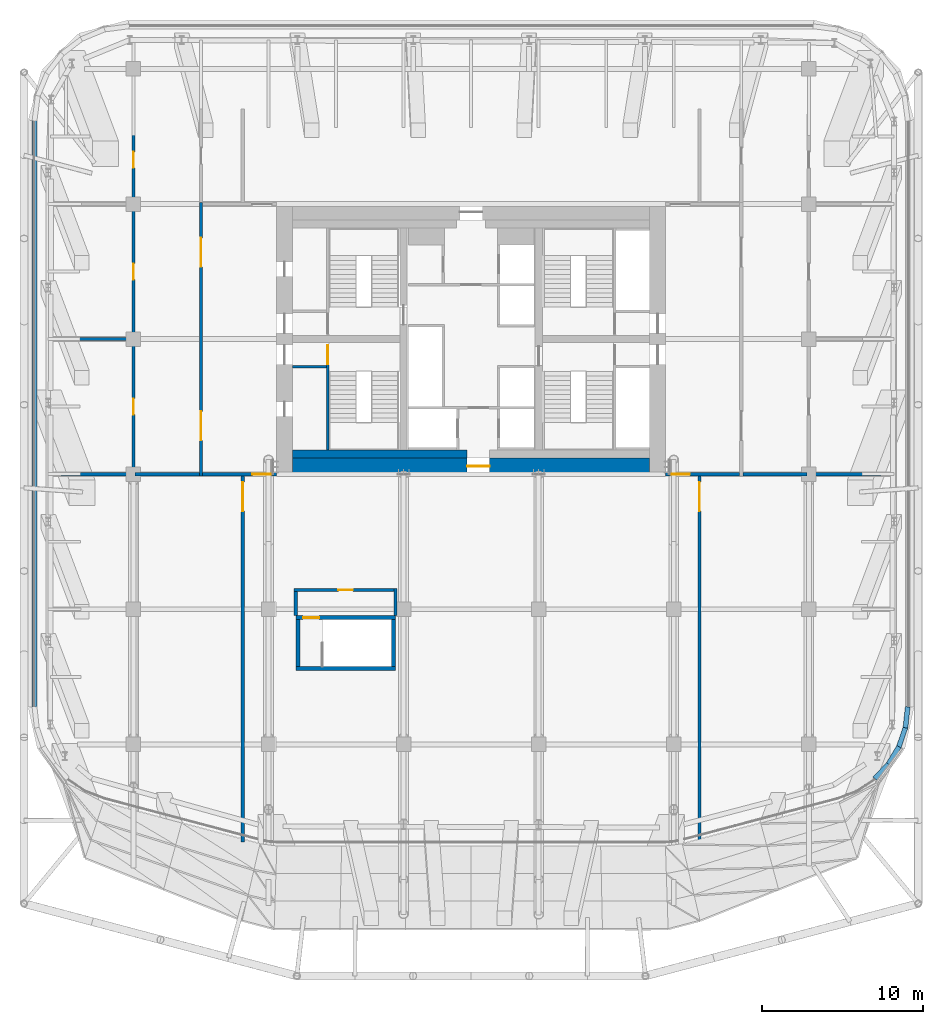
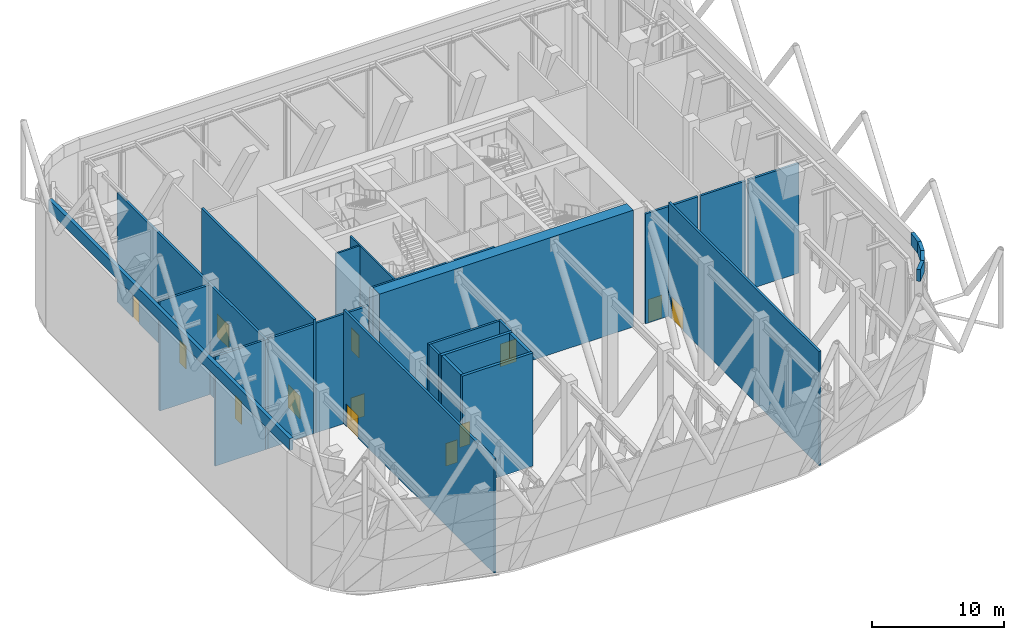
# One storey, part 10 of 20: 27 walls, 13 doors, 13 openings.
"""IFC4 building model written with IfcOpenShell, lengths in metres."""

from ifc_helpers import new_model, si_unit, direction, frame, frame_2d, origin, place, context, subcontext, project, spatial, rectangle, extrude, material, layer, layer_set, type_object, element, fill, save


model = new_model("IFC4")

# Units and contexts
model_context = context("Model", 3, precision=1e-05, world=origin(), true_north=direction((0.0, 1.0)))
body_context = subcontext(model_context, "Body", "Model", "MODEL_VIEW")
ifc_project = project(units=[si_unit("LENGTHUNIT", "METRE"), si_unit("AREAUNIT", "SQUARE_METRE"), si_unit("VOLUMEUNIT", "CUBIC_METRE"), si_unit("PLANEANGLEUNIT", "RADIAN"), si_unit("MASSUNIT", "GRAM", prefix="KILO")], contexts=[model_context])

# Site, building, storey
site_placement = place(None, origin())
site = spatial("IfcSite", under=ifc_project, at=site_placement, CompositionType="ELEMENT")
building_placement = place(site_placement, origin())
building = spatial("IfcBuilding", under=site, at=building_placement, Name="Marenta Gate Hotel Tower", CompositionType="ELEMENT")
storey_placement = place(building_placement, frame((0.0, 0.0, 169.699951171875)))
storey = spatial("IfcBuildingStorey", under=building, at=storey_placement, Name="L40", CompositionType="ELEMENT", Elevation=169.699951171875)

# Wall, openings, doors
ifc_material_1 = material(Name="Concrete blockwork", Category="masonry")
ifc_layer_1 = layer(ifc_material_1, 0.199951171875)
ifc_layer_set_1 = layer_set([ifc_layer_1], Name="Concrete blockwork")
wall_type_1 = type_object("IfcWallType", Name="Core boundary wall 200 REI 180", PredefinedType="PARTITIONING", material=ifc_layer_set_1)
wall_1_placement = place(storey_placement, frame((-16.800048828125, -0.10009765625, 0.0), z_axis=(0.0, 0.0, 1.0), x_axis=(0.0, 1.0, 0.0)))
wall_1 = element("IfcWall", 1, at=wall_1_placement, inside=storey, type_object=wall_type_1, Name="L40-CP-BW-W", PredefinedType="PARTITIONING", context=body_context, shape_type="SweptSolid", body=[
    extrude(rectangle(XDim=17.0, YDim=0.199951171875, at=frame_2d((8.5, 0.0))), origin(), (0.0, 0.0, 1.0), 10.5400390625),
])
opening_1_placement = place(wall_1_placement, frame((2.199951171875, 0.0, 0.0)))
opening_1 = element("IfcOpeningElement", 2, at=opening_1_placement, cuts=wall_1, Name="Opening ED-Wa-B", PredefinedType="OPENING", context=body_context, shape_type="SweptSolid", body=[
    extrude(rectangle(XDim=1.800048828125, YDim=2.10009765625, at=frame_2d((0.89990234375, 1.050048828125))), frame((0.0, 0.10009765625, 0.0), z_axis=(0.0, -1.0, 0.0), x_axis=(1.0, 0.0, 0.0)), (0.0, 0.0, 1.0), 0.199951171875),
])
opening_2_placement = place(wall_1_placement, frame((13.0, 0.0, 0.0)))
opening_2 = element("IfcOpeningElement", 3, at=opening_2_placement, cuts=wall_1, Name="Opening ED-Wb-B", PredefinedType="OPENING", context=body_context, shape_type="SweptSolid", body=[
    extrude(rectangle(XDim=1.800048828125, YDim=2.10009765625, at=frame_2d((0.89990234375, 1.050048828125))), frame((0.0, 0.10009765625, 0.0), z_axis=(0.0, -1.0, 0.0), x_axis=(1.0, 0.0, 0.0)), (0.0, 0.0, 1.0), 0.199951171875),
])
ifc_material_2 = material(Name="Steel", Category="steel")
door_type_1 = type_object("IfcDoorType", Name="Core lobby entrance door 1800x2100 EI 60", OperationType="DOUBLE_DOOR_SINGLE_SWING", PredefinedType="DOOR", material=ifc_material_2)
door_1_placement = place(opening_1_placement, origin())
door_1 = element("IfcDoor", 4, at=door_1_placement, inside=storey, type_object=door_type_1, Name="ED-Wa-B", OperationType="DOUBLE_DOOR_SINGLE_SWING", OverallHeight=2.10009765625, OverallWidth=1.800048828125, PredefinedType="DOOR", context=body_context, shape_type="SweptSolid", body=[
    extrude(rectangle(XDim=1.800048828125, YDim=2.10009765625, at=frame_2d((0.89990234375, 1.050048828125))), frame((0.0, 0.02490234375, 0.0), z_axis=(0.0, -1.0, 0.0), x_axis=(1.0, 0.0, 0.0)), (0.0, 0.0, 1.0), 0.050048828125),
])
fill(opening_1, door_1)
door_2_placement = place(opening_2_placement, origin())
door_2 = element("IfcDoor", 5, at=door_2_placement, inside=storey, type_object=door_type_1, Name="ED-Wb-B", OperationType="DOUBLE_DOOR_SINGLE_SWING", OverallHeight=2.10009765625, OverallWidth=1.800048828125, PredefinedType="DOOR", context=body_context, shape_type="SweptSolid", body=[
    extrude(rectangle(XDim=1.800048828125, YDim=2.10009765625, at=frame_2d((0.89990234375, 1.050048828125))), frame((0.0, 0.02490234375, 0.0), z_axis=(0.0, -1.0, 0.0), x_axis=(1.0, 0.0, 0.0)), (0.0, 0.0, 1.0), 0.050048828125),
])
fill(opening_2, door_2)

# Wall, opening, door
wall_2_placement = place(storey_placement, frame((-16.699951171875, 0.0, 0.0), z_axis=(0.0, 0.0, 1.0), x_axis=(1.0, 0.0, 0.0)))
wall_2 = element("IfcWall", 6, at=wall_2_placement, inside=storey, type_object=wall_type_1, Name="L40-CP-EW-WS", PredefinedType="PARTITIONING", context=body_context, shape_type="SweptSolid", body=[
    extrude(rectangle(XDim=4.599853515625, YDim=0.199951171875, at=frame_2d((2.2998046875, 0.0))), origin(), (0.0, 0.0, 1.0), 10.14013671875),
])
opening_3_placement = place(wall_2_placement, frame((3.10009765625, 0.0, 0.0)))
opening_3 = element("IfcOpeningElement", 7, at=opening_3_placement, cuts=wall_2, Name="Opening RFD-WS", PredefinedType="OPENING", context=body_context, shape_type="SweptSolid", body=[
    extrude(rectangle(XDim=1.199951171875, YDim=2.10009765625, at=frame_2d((0.60009765625, 1.050048828125))), frame((0.0, 0.10009765625, 0.0), z_axis=(0.0, -1.0, 0.0), x_axis=(1.0, 0.0, 0.0)), (0.0, 0.0, 1.0), 0.199951171875),
])
ifc_material_3 = material(Name="Steel", Category="steel")
door_type_2 = type_object("IfcDoorType", Name="Core lobby door 1200x2100 FD60", OperationType="SINGLE_SWING_LEFT", PredefinedType="DOOR", material=ifc_material_3)
door_3_placement = place(opening_3_placement, origin())
door_3 = element("IfcDoor", 8, at=door_3_placement, inside=storey, type_object=door_type_2, Name="RFD-WS", OperationType="SINGLE_SWING_LEFT", OverallHeight=2.10009765625, OverallWidth=1.199951171875, PredefinedType="DOOR", context=body_context, shape_type="SweptSolid", body=[
    extrude(rectangle(XDim=1.199951171875, YDim=2.10009765625, at=frame_2d((0.60009765625, 1.050048828125))), frame((0.0, 0.02490234375, 0.0), z_axis=(0.0, -1.0, 0.0), x_axis=(1.0, 0.0, 0.0)), (0.0, 0.0, 1.0), 0.050048828125),
])
fill(opening_3, door_3)

wall_3_placement = place(storey_placement, frame((12.10009765625, 0.0, 0.0), z_axis=(0.0, 0.0, 1.0), x_axis=(1.0, 0.0, 0.0)))
wall_3 = element("IfcWall", 9, at=wall_3_placement, inside=storey, type_object=wall_type_1, Name="L40-CP-EW-ES", PredefinedType="PARTITIONING", context=body_context, shape_type="SweptSolid", body=[
    extrude(rectangle(XDim=4.599853515625, YDim=0.199951171875, at=frame_2d((2.2998046875, 0.0))), origin(), (0.0, 0.0, 1.0), 10.14013671875),
])
opening_4_placement = place(wall_3_placement, frame((0.300048828125, 0.0, 0.0)))
opening_4 = element("IfcOpeningElement", 10, at=opening_4_placement, cuts=wall_3, Name="Opening RFD-ES", PredefinedType="OPENING", context=body_context, shape_type="SweptSolid", body=[
    extrude(rectangle(XDim=1.199951171875, YDim=2.10009765625, at=frame_2d((0.60009765625, 1.050048828125))), frame((0.0, 0.10009765625, 0.0), z_axis=(0.0, -1.0, 0.0), x_axis=(1.0, 0.0, 0.0)), (0.0, 0.0, 1.0), 0.199951171875),
])
door_4_placement = place(opening_4_placement, origin())
door_4 = element("IfcDoor", 11, at=door_4_placement, inside=storey, type_object=door_type_2, Name="RFD-ES", OperationType="SINGLE_SWING_LEFT", OverallHeight=2.10009765625, OverallWidth=1.199951171875, PredefinedType="DOOR", context=body_context, shape_type="SweptSolid", body=[
    extrude(rectangle(XDim=1.199951171875, YDim=2.10009765625, at=frame_2d((0.60009765625, 1.050048828125))), frame((0.0, 0.02490234375, 0.0), z_axis=(0.0, -1.0, 0.0), x_axis=(1.0, 0.0, 0.0)), (0.0, 0.0, 1.0), 0.050048828125),
])
fill(opening_4, door_4)

# Walls
ifc_material_4 = material(Name="Concrete C40", Category="concrete")
ifc_layer_2 = layer(ifc_material_4, 0.5)
ifc_layer_set_2 = layer_set([ifc_layer_2], Name="Concrete C40")
wall_type_2 = type_object("IfcWallType", Name="Core lining wall 500 REI 180", PredefinedType="PARTITIONING", material=ifc_layer_set_2)
wall_4_placement = place(storey_placement, frame((-11.10009765625, 1.25, 0.0), z_axis=(0.0, 0.0, 1.0), x_axis=(1.0, 0.0, 0.0)))
element("IfcWall", 12, at=wall_4_placement, inside=storey, type_object=wall_type_2, Name="L40-CP-LN-S1", PredefinedType="PARTITIONING", context=body_context, shape_type="SweptSolid", body=[
    extrude(rectangle(XDim=10.85009765625, YDim=0.5, at=frame_2d((5.425048828125, 0.0))), origin(), (0.0, 0.0, 1.0), 10.5400390625),
])
ifc_material_5 = material(Name="Concrete blockwork", Category="masonry")
ifc_layer_3 = layer(ifc_material_5, 0.14990234375)
ifc_layer_set_3 = layer_set([ifc_layer_3], Name="Concrete blockwork")
wall_type_3 = type_object("IfcWallType", Name="Core room partition 150 REI 180", PredefinedType="PARTITIONING", material=ifc_layer_set_3)
wall_5_placement = place(storey_placement, frame((-11.10009765625, 6.675048828125, 0.0), z_axis=(0.0, 0.0, 1.0), x_axis=(1.0, 0.0, 0.0)))
element("IfcWall", 13, at=wall_5_placement, inside=storey, type_object=wall_type_3, Name="L40-CP-SW-WS-2", PredefinedType="PARTITIONING", context=body_context, shape_type="SweptSolid", body=[
    extrude(rectangle(XDim=2.10009765625, YDim=0.14990234375, at=frame_2d((1.050048828125, 0.0))), origin(), (0.0, 0.0, 1.0), 10.5400390625),
])

# Wall, opening, door
ifc_material_6 = material(Name="Concrete C40", Category="concrete")
ifc_layer_4 = layer(ifc_material_6, 0.14990234375)
ifc_layer_set_4 = layer_set([ifc_layer_4], Name="Concrete C40")
wall_type_4 = type_object("IfcWallType", Name="Core stair enclosure wall 150 REI 180", PredefinedType="SHEAR", material=ifc_layer_set_4)
wall_6_placement = place(storey_placement, frame((-8.925048828125, 1.5, 0.0), z_axis=(0.0, 0.0, 1.0), x_axis=(0.0, 1.0, 0.0)))
wall_6 = element("IfcWall", 14, at=wall_6_placement, inside=storey, type_object=wall_type_4, Name="L40-SHF-SW-WS-3", PredefinedType="SHEAR", context=body_context, shape_type="SweptSolid", body=[
    extrude(rectangle(XDim=6.60009765625, YDim=0.14990234375, at=frame_2d((3.300048828125, 0.0))), origin(), (0.0, 0.0, 1.0), 10.5400390625),
])
opening_5_placement = place(wall_6_placement, frame((5.324951171875, 0.0, 0.0)))
opening_5 = element("IfcOpeningElement", 15, at=opening_5_placement, cuts=wall_6, Name="Opening SD-WS", PredefinedType="OPENING", context=body_context, shape_type="SweptSolid", body=[
    extrude(rectangle(XDim=1.199951171875, YDim=2.10009765625, at=frame_2d((0.60009765625, 1.050048828125))), frame((0.0, 0.074951171875, 0.0), z_axis=(0.0, -1.0, 0.0), x_axis=(1.0, 0.0, 0.0)), (0.0, 0.0, 1.0), 0.14990234375),
])
ifc_material_7 = material(Name="Steel", Category="steel")
door_type_3 = type_object("IfcDoorType", Name="Core stair door 1200x2100 FD60", OperationType="SINGLE_SWING_LEFT", PredefinedType="DOOR", material=ifc_material_7)
door_5_placement = place(opening_5_placement, origin())
door_5 = element("IfcDoor", 16, at=door_5_placement, inside=storey, type_object=door_type_3, Name="SD-WS", OperationType="SINGLE_SWING_LEFT", OverallHeight=2.10009765625, OverallWidth=1.199951171875, PredefinedType="DOOR", context=body_context, shape_type="SweptSolid", body=[
    extrude(rectangle(XDim=1.199951171875, YDim=2.10009765625, at=frame_2d((0.60009765625, 1.050048828125))), frame((0.0, 0.02490234375, 0.0), z_axis=(0.0, -1.0, 0.0), x_axis=(1.0, 0.0, 0.0)), (0.0, 0.0, 1.0), 0.050048828125),
])
fill(opening_5, door_5)

ifc_material_8 = material(Name="Concrete C70", Category="concrete")
ifc_layer_5 = layer(ifc_material_8, 1.0)
ifc_layer_set_5 = layer_set([ifc_layer_5], Name="Concrete C70")
wall_type_5 = type_object("IfcWallType", Name="Core wall 1000 C70", PredefinedType="SHEAR", material=ifc_layer_set_5)
wall_7_placement = place(storey_placement, frame((-11.10009765625, 0.5, 0.0), z_axis=(0.0, 0.0, 1.0), x_axis=(1.0, 0.0, 0.0)))
wall_7 = element("IfcWall", 17, at=wall_7_placement, inside=storey, type_object=wall_type_5, Name="L40-CORE-S", PredefinedType="SHEAR", context=body_context, shape_type="SweptSolid", body=[
    extrude(rectangle(XDim=22.2001953125, YDim=1.0, at=frame_2d((11.10009765625, 0.0))), origin(), (0.0, 0.0, 1.0), 10.800048828125),
])
opening_6_placement = place(wall_7_placement, frame((10.85009765625, 0.0, 0.0)))
opening_6 = element("IfcOpeningElement", 18, at=opening_6_placement, cuts=wall_7, Name="Opening RFD-S", PredefinedType="OPENING", context=body_context, shape_type="SweptSolid", body=[
    extrude(rectangle(XDim=1.39990234375, YDim=2.10009765625, at=frame_2d((0.699951171875, 1.050048828125))), frame((0.0, 0.5, 0.0), z_axis=(0.0, -1.0, 0.0), x_axis=(1.0, 0.0, 0.0)), (0.0, 0.0, 1.0), 1.0),
])
ifc_material_9 = material(Name="Steel", Category="steel")
door_type_4 = type_object("IfcDoorType", Name="Core lobby door 1400x2100 FD60", OperationType="SINGLE_SWING_LEFT", PredefinedType="DOOR", material=ifc_material_9)
door_6_placement = place(opening_6_placement, origin())
door_6 = element("IfcDoor", 19, at=door_6_placement, inside=storey, type_object=door_type_4, Name="RFD-S", OperationType="SINGLE_SWING_LEFT", OverallHeight=2.10009765625, OverallWidth=1.39990234375, PredefinedType="DOOR", context=body_context, shape_type="SweptSolid", body=[
    extrude(rectangle(XDim=1.39990234375, YDim=2.10009765625, at=frame_2d((0.699951171875, 1.050048828125))), frame((0.0, 0.02490234375, 0.0), z_axis=(0.0, -1.0, 0.0), x_axis=(1.0, 0.0, 0.0)), (0.0, 0.0, 1.0), 0.050048828125),
])
fill(opening_6, door_6)

# Walls
ifc_material_10 = material(Name="Concrete C40 board-marked", Category="concrete")
ifc_layer_6 = layer(ifc_material_10, 0.300048828125)
ifc_layer_set_6 = layer_set([ifc_layer_6], Name="Concrete C40 board-marked")
wall_type_6 = type_object("IfcWallType", Name="Parapet 300 mm board-marked concrete", PredefinedType="PARAPET", material=ifc_layer_set_6)
wall_8_placement = place(storey_placement, frame((-27.14990234375, -14.484375, 10.800048828125), z_axis=(0.0, 0.0, 1.0), x_axis=(0.0, 1.0, 0.0)))
element("IfcWall", 20, at=wall_8_placement, inside=storey, type_object=wall_type_6, Name="L40-PAR-00030", PredefinedType="PARAPET", context=body_context, shape_type="SweptSolid", body=[
    extrude(rectangle(XDim=36.484375, YDim=0.300048828125, at=frame_2d((18.2421875, 0.0))), origin(), (0.0, 0.0, 1.0), 1.10009765625),
])
for number, where, z_axis, x_axis, name in (
    (21, (27.15087890625, -14.468017578125, 10.800048828125), (0.0, 0.0, 1.0), (-0.109141394059, -0.994026235118, 0.0), "L40-PAR-00180"),
    (22, (27.01513671875, -15.737060546875, 10.800048828125), (0.0, 0.0, 1.0), (-0.321986341971, -0.946744313732, 0.0), "L40-PAR-00190"),
):
    element("IfcWall", number, at=place(storey_placement, frame(where, z_axis=z_axis, x_axis=x_axis)), inside=storey, type_object=wall_type_6, Name=name, PredefinedType="PARAPET", context=body_context, shape_type="SweptSolid", body=[
        extrude(rectangle(XDim=1.30859375, YDim=0.300048828125, at=frame_2d((0.654296875, 0.0))), origin(), (0.0, 0.0, 1.0), 1.10009765625),
    ])
wall_9_placement = place(storey_placement, frame((26.607666015625, -16.946533203125, 10.800048828125), z_axis=(0.0, 0.0, 1.0), x_axis=(-0.519698377403, -0.854349809226, 0.0)))
element("IfcWall", 23, at=wall_9_placement, inside=storey, type_object=wall_type_6, Name="L40-PAR-00200", PredefinedType="PARAPET", context=body_context, shape_type="SweptSolid", body=[
    extrude(rectangle(XDim=1.308837890625, YDim=0.300048828125, at=frame_2d((0.654296875, 0.0))), origin(), (0.0, 0.0, 1.0), 1.10009765625),
])
wall_10_placement = place(storey_placement, frame((25.947509765625, -18.038818359375, 10.800048828125), z_axis=(0.0, 0.0, 1.0), x_axis=(-0.692535941108, -0.721383372607, 0.0)))
element("IfcWall", 24, at=wall_10_placement, inside=storey, type_object=wall_type_6, Name="L40-PAR-00210", PredefinedType="PARAPET", context=body_context, shape_type="SweptSolid", body=[
    extrude(rectangle(XDim=1.235595703125, YDim=0.300048828125, at=frame_2d((0.61767578125, 0.0))), origin(), (0.0, 0.0, 1.0), 1.10009765625),
])
ifc_material_11 = material(Name="Concrete C40", Category="concrete")
ifc_layer_7 = layer(ifc_material_11, 0.25)
ifc_layer_set_7 = layer_set([ifc_layer_7], Name="Concrete C40")
wall_type_7 = type_object("IfcWallType", Name="Remote stair enclosure wall 250 REI 180", PredefinedType="SHEAR", material=ifc_layer_set_7)
wall_11_placement = place(storey_placement, frame((-10.89990234375, -12.074951171875, 0.10009765625), z_axis=(0.0, 0.0, 1.0), x_axis=(1.0, 0.0, 0.0)))
element("IfcWall", 25, at=wall_11_placement, inside=storey, type_object=wall_type_7, Name="L40-RS-Z2-1-W1", PredefinedType="SHEAR", context=body_context, shape_type="SweptSolid", body=[
    extrude(rectangle(XDim=6.199951171875, YDim=0.25, at=frame_2d((3.10009765625, 0.0))), origin(), (0.0, 0.0, 1.0), 10.43994140625),
])

# Wall, opening, door
wall_12_placement = place(storey_placement, frame((-10.89990234375, -8.925048828125, 0.10009765625), z_axis=(0.0, 0.0, 1.0), x_axis=(1.0, 0.0, 0.0)))
wall_12 = element("IfcWall", 26, at=wall_12_placement, inside=storey, type_object=wall_type_7, Name="L40-RS-Z2-1-W2", PredefinedType="SHEAR", context=body_context, shape_type="SweptSolid", body=[
    extrude(rectangle(XDim=6.199951171875, YDim=0.25, at=frame_2d((3.10009765625, 0.0))), origin(), (0.0, 0.0, 1.0), 10.43994140625),
])
opening_7_placement = place(wall_12_placement, frame((0.449951171875, 0.0, 0.0)))
opening_7 = element("IfcOpeningElement", 27, at=opening_7_placement, cuts=wall_12, Name="Opening VD", PredefinedType="OPENING", context=body_context, shape_type="SweptSolid", body=[
    extrude(rectangle(XDim=1.0, YDim=2.10009765625, at=frame_2d((0.5, 1.050048828125))), frame((0.0, 0.125, 0.0), z_axis=(0.0, -1.0, 0.0), x_axis=(1.0, 0.0, 0.0)), (0.0, 0.0, 1.0), 0.25),
])
ifc_material_12 = material(Name="Steel", Category="steel")
door_type_5 = type_object("IfcDoorType", Name="Stair vestibule door 1000x2100 FD60", OperationType="SINGLE_SWING_LEFT", PredefinedType="DOOR", material=ifc_material_12)
door_7_placement = place(opening_7_placement, origin())
door_7 = element("IfcDoor", 28, at=door_7_placement, inside=storey, type_object=door_type_5, Name="VD", OperationType="SINGLE_SWING_LEFT", OverallHeight=2.10009765625, OverallWidth=1.0, PredefinedType="DOOR", context=body_context, shape_type="SweptSolid", body=[
    extrude(rectangle(XDim=1.0, YDim=2.10009765625, at=frame_2d((0.5, 1.050048828125))), frame((0.0, 0.02490234375, 0.0), z_axis=(0.0, -1.0, 0.0), x_axis=(1.0, 0.0, 0.0)), (0.0, 0.0, 1.0), 0.050048828125),
])
fill(opening_7, door_7)

# Walls
for number, where, z_axis, x_axis, name in (
    (29, (-10.77490234375, -11.949951171875, 0.10009765625), (0.0, 0.0, 1.0), (0.0, 1.0, 0.0), "L40-RS-Z2-1-W3"),
    (30, (-4.824951171875, -11.949951171875, 0.10009765625), (0.0, 0.0, 1.0), (0.0, 1.0, 0.0), "L40-RS-Z2-1-W4"),
):
    element("IfcWall", number, at=place(storey_placement, frame(where, z_axis=z_axis, x_axis=x_axis)), inside=storey, type_object=wall_type_7, Name=name, PredefinedType="SHEAR", context=body_context, shape_type="SweptSolid", body=[
        extrude(rectangle(XDim=2.89990234375, YDim=0.25, at=frame_2d((1.449951171875, 0.0))), origin(), (0.0, 0.0, 1.0), 10.43994140625),
    ])

# Wall, openings, doors
ifc_material_13 = material(Name="Gypsum board on steel stud", Category="steel")
ifc_layer_8 = layer(ifc_material_13, 0.199951171875)
ifc_layer_set_8 = layer_set([ifc_layer_8], Name="Gypsum board on steel stud")
wall_type_8 = type_object("IfcWallType", Name="Room corridor wall 200 EI 60", PredefinedType="PARTITIONING", material=ifc_layer_set_8)
wall_13_placement = place(storey_placement, frame((-21.0, -0.10009765625, 0.0), z_axis=(0.0, 0.0, 1.0), x_axis=(0.0, 1.0, 0.0)))
wall_13 = element("IfcWall", 31, at=wall_13_placement, inside=storey, type_object=wall_type_8, Name="L40-PTN-W019", PredefinedType="PARTITIONING", context=body_context, shape_type="SweptSolid", body=[
    extrude(rectangle(XDim=22.4931640625, YDim=0.199951171875, at=frame_2d((11.24658203125, 0.0))), origin(), (0.0, 0.0, 1.0), 10.14013671875),
])
opening_8_placement = place(wall_13_placement, frame((3.800048828125, 0.0, 0.0)))
opening_8 = element("IfcOpeningElement", 32, at=opening_8_placement, cuts=wall_13, Name="Opening S09-01", PredefinedType="OPENING", context=body_context, shape_type="SweptSolid", body=[
    extrude(rectangle(XDim=1.0, YDim=2.10009765625, at=frame_2d((0.5, 1.050048828125))), frame((0.0, 0.10009765625, 0.0), z_axis=(0.0, -1.0, 0.0), x_axis=(1.0, 0.0, 0.0)), (0.0, 0.0, 1.0), 0.199951171875),
])
opening_9_placement = place(wall_13_placement, frame((12.199951171875, 0.0, 0.0)))
opening_9 = element("IfcOpeningElement", 33, at=opening_9_placement, cuts=wall_13, Name="Opening S09-02", PredefinedType="OPENING", context=body_context, shape_type="SweptSolid", body=[
    extrude(rectangle(XDim=1.0, YDim=2.10009765625, at=frame_2d((0.5, 1.050048828125))), frame((0.0, 0.10009765625, 0.0), z_axis=(0.0, -1.0, 0.0), x_axis=(1.0, 0.0, 0.0)), (0.0, 0.0, 1.0), 0.199951171875),
])
opening_10_placement = place(wall_13_placement, frame((19.14697265625, 0.0, 0.0)))
opening_10 = element("IfcOpeningElement", 34, at=opening_10_placement, cuts=wall_13, Name="Opening S09-03", PredefinedType="OPENING", context=body_context, shape_type="SweptSolid", body=[
    extrude(rectangle(XDim=1.0, YDim=2.10009765625, at=frame_2d((0.5, 1.050048828125))), frame((0.0, 0.10009765625, 0.0), z_axis=(0.0, -1.0, 0.0), x_axis=(1.0, 0.0, 0.0)), (0.0, 0.0, 1.0), 0.199951171875),
])
ifc_material_14 = material(Name="Hollow steel door set", Category="steel")
door_type_6 = type_object("IfcDoorType", Name="Plant room door 1000x2100 EI 30", OperationType="NOTDEFINED", PredefinedType="DOOR", material=ifc_material_14)
door_8_placement = place(opening_8_placement, origin())
door_8 = element("IfcDoor", 35, at=door_8_placement, inside=storey, type_object=door_type_6, Name="L40-PD-D001", OperationType="SINGLE_SWING_LEFT", OverallHeight=2.10009765625, OverallWidth=1.0, PredefinedType="DOOR", context=body_context, shape_type="SweptSolid", body=[
    extrude(rectangle(XDim=1.0, YDim=2.10009765625, at=frame_2d((0.5, 1.050048828125))), frame((0.0, 0.02490234375, 0.0), z_axis=(0.0, -1.0, 0.0), x_axis=(1.0, 0.0, 0.0)), (0.0, 0.0, 1.0), 0.050048828125),
])
fill(opening_8, door_8)
door_9_placement = place(opening_9_placement, origin())
door_9 = element("IfcDoor", 36, at=door_9_placement, inside=storey, type_object=door_type_6, Name="L40-PD-D002", OperationType="SINGLE_SWING_RIGHT", OverallHeight=2.10009765625, OverallWidth=1.0, PredefinedType="DOOR", context=body_context, shape_type="SweptSolid", body=[
    extrude(rectangle(XDim=1.0, YDim=2.10009765625, at=frame_2d((0.5, 1.050048828125))), frame((0.0, 0.02490234375, 0.0), z_axis=(0.0, -1.0, 0.0), x_axis=(1.0, 0.0, 0.0)), (0.0, 0.0, 1.0), 0.050048828125),
])
fill(opening_9, door_9)
door_10_placement = place(opening_10_placement, origin())
door_10 = element("IfcDoor", 37, at=door_10_placement, inside=storey, type_object=door_type_6, Name="L40-PD-D003", OperationType="SINGLE_SWING_RIGHT", OverallHeight=2.10009765625, OverallWidth=1.0, PredefinedType="DOOR", context=body_context, shape_type="SweptSolid", body=[
    extrude(rectangle(XDim=1.0, YDim=2.10009765625, at=frame_2d((0.5, 1.050048828125))), frame((0.0, 0.02490234375, 0.0), z_axis=(0.0, -1.0, 0.0), x_axis=(1.0, 0.0, 0.0)), (0.0, 0.0, 1.0), 0.050048828125),
])
fill(opening_10, door_10)

# Walls
ifc_material_15 = material(Name="Concrete blockwork", Category="masonry")
ifc_layer_9 = layer(ifc_material_15, 0.199951171875)
ifc_layer_set_9 = layer_set([ifc_layer_9], Name="Concrete blockwork")
wall_type_9 = type_object("IfcWallType", Name="Room corridor wall 200 REI 180", PredefinedType="PARTITIONING", material=ifc_layer_set_9)
for number, where, z_axis, x_axis, name in (
    (38, (-20.89990234375, 0.0, 0.0), (0.0, 0.0, 1.0), (1.0, 0.0, 0.0), "L40-PTN-W008"),
    (39, (16.89990234375, 0.0, 0.0), (0.0, 0.0, 1.0), (1.0, 0.0, 0.0), "L40-PTN-W009"),
):
    element("IfcWall", number, at=place(storey_placement, frame(where, z_axis=z_axis, x_axis=x_axis)), inside=storey, type_object=wall_type_9, Name=name, PredefinedType="PARTITIONING", context=body_context, shape_type="SweptSolid", body=[
        extrude(rectangle(XDim=4.0, YDim=0.199951171875, at=frame_2d((2.0, 0.0))), origin(), (0.0, 0.0, 1.0), 10.14013671875),
    ])
ifc_material_16 = material(Name="Gypsum board on steel stud", Category="steel")
ifc_layer_10 = layer(ifc_material_16, 0.199951171875)
ifc_layer_set_10 = layer_set([ifc_layer_10], Name="Gypsum board on steel stud")
wall_type_10 = type_object("IfcWallType", Name="Room party wall 200 EI 60", PredefinedType="PARTITIONING", material=ifc_layer_set_10)
wall_14_placement = place(storey_placement, frame((-25.5, 8.39990234375, 0.0), z_axis=(0.0, 0.0, 1.0), x_axis=(1.0, 0.0, 0.0)))
element("IfcWall", 40, at=wall_14_placement, inside=storey, type_object=wall_type_10, Name="L40-PTN-W011", PredefinedType="PARTITIONING", context=body_context, shape_type="SweptSolid", body=[
    extrude(rectangle(XDim=4.39990234375, YDim=0.199951171875, at=frame_2d((2.199951171875, 0.0))), origin(), (0.0, 0.0, 1.0), 10.14013671875),
])

# Wall, opening, door
ifc_material_17 = material(Name="Concrete blockwork", Category="masonry")
ifc_layer_11 = layer(ifc_material_17, 0.199951171875)
ifc_layer_set_11 = layer_set([ifc_layer_11], Name="Concrete blockwork")
wall_type_11 = type_object("IfcWallType", Name="Room party wall 200 REI 180", PredefinedType="PARTITIONING", material=ifc_layer_set_11)
wall_15_placement = place(storey_placement, frame((14.199951171875, -22.875, 0.0), z_axis=(0.0, 0.0, 1.0), x_axis=(0.0, 1.0, 0.0)))
wall_15 = element("IfcWall", 41, at=wall_15_placement, inside=storey, type_object=wall_type_11, Name="L40-PTN-W003", PredefinedType="PARTITIONING", context=body_context, shape_type="SweptSolid", body=[
    extrude(rectangle(XDim=22.77490234375, YDim=0.199951171875, at=frame_2d((11.387451171875, 0.0))), origin(), (0.0, 0.0, 1.0), 10.5400390625),
])
opening_11_placement = place(wall_15_placement, frame((20.574951171875, 0.0, 0.0)))
opening_11 = element("IfcOpeningElement", 42, at=opening_11_placement, cuts=wall_15, Name="Opening S09-10", PredefinedType="OPENING", context=body_context, shape_type="SweptSolid", body=[
    extrude(rectangle(XDim=1.800048828125, YDim=2.10009765625, at=frame_2d((0.89990234375, 1.050048828125))), frame((0.0, 0.10009765625, 0.0), z_axis=(0.0, -1.0, 0.0), x_axis=(1.0, 0.0, 0.0)), (0.0, 0.0, 1.0), 0.199951171875),
])
ifc_material_18 = material(Name="Timber door leaf", Category="wood")
door_type_7 = type_object("IfcDoorType", Name="Room amenity door 1800x2100 EI 60", OperationType="DOUBLE_DOOR_SINGLE_SWING", PredefinedType="DOOR", material=ifc_material_18)
door_11_placement = place(opening_11_placement, origin())
door_11 = element("IfcDoor", 43, at=door_11_placement, inside=storey, type_object=door_type_7, Name="L40-PD-D010", OperationType="DOUBLE_DOOR_SINGLE_SWING", OverallHeight=2.10009765625, OverallWidth=1.800048828125, PredefinedType="DOOR", context=body_context, shape_type="SweptSolid", body=[
    extrude(rectangle(XDim=1.800048828125, YDim=2.10009765625, at=frame_2d((0.89990234375, 1.050048828125))), frame((0.0, 0.02490234375, 0.0), z_axis=(0.0, -1.0, 0.0), x_axis=(1.0, 0.0, 0.0)), (0.0, 0.0, 1.0), 0.050048828125),
])
fill(opening_11, door_11)

wall_16_placement = place(storey_placement, frame((-11.0, -7.199951171875, 0.0), z_axis=(0.0, 0.0, 1.0), x_axis=(1.0, 0.0, 0.0)))
wall_16 = element("IfcWall", 44, at=wall_16_placement, inside=storey, type_object=wall_type_11, Name="L40-PTN-W005", PredefinedType="PARTITIONING", context=body_context, shape_type="SweptSolid", body=[
    extrude(rectangle(XDim=6.199951171875, YDim=0.199951171875, at=frame_2d((3.10009765625, 0.0))), origin(), (0.0, 0.0, 1.0), 10.5400390625),
])
opening_12_placement = place(wall_16_placement, frame((2.75, 0.0, 0.0)))
opening_12 = element("IfcOpeningElement", 45, at=opening_12_placement, cuts=wall_16, Name="Opening S09-11", PredefinedType="OPENING", context=body_context, shape_type="SweptSolid", body=[
    extrude(rectangle(XDim=0.89990234375, YDim=2.10009765625, at=frame_2d((0.449951171875, 1.050048828125))), frame((0.0, 0.10009765625, 0.0), z_axis=(0.0, -1.0, 0.0), x_axis=(1.0, 0.0, 0.0)), (0.0, 0.0, 1.0), 0.199951171875),
])
ifc_material_19 = material(Name="Hollow steel door set", Category="steel")
door_type_8 = type_object("IfcDoorType", Name="Stair vestibule door 900x2100 EI 60", OperationType="NOTDEFINED", PredefinedType="DOOR", material=ifc_material_19)
door_12_placement = place(opening_12_placement, origin())
door_12 = element("IfcDoor", 46, at=door_12_placement, inside=storey, type_object=door_type_8, Name="L40-PD-D011", OperationType="SINGLE_SWING_LEFT", OverallHeight=2.10009765625, OverallWidth=0.89990234375, PredefinedType="DOOR", context=body_context, shape_type="SweptSolid", body=[
    extrude(rectangle(XDim=0.89990234375, YDim=2.10009765625, at=frame_2d((0.449951171875, 1.050048828125))), frame((0.0, 0.02490234375, 0.0), z_axis=(0.0, -1.0, 0.0), x_axis=(1.0, 0.0, 0.0)), (0.0, 0.0, 1.0), 0.050048828125),
])
fill(opening_12, door_12)

# Walls
for number, where, z_axis, x_axis, name in (
    (47, (-25.5, 0.0, 0.0), (0.0, 0.0, 1.0), (1.0, 0.0, 0.0), "L40-PTN-W006"),
    (48, (21.10009765625, 0.0, 0.0), (0.0, 0.0, 1.0), (1.0, 0.0, 0.0), "L40-PTN-W007"),
):
    element("IfcWall", number, at=place(storey_placement, frame(where, z_axis=z_axis, x_axis=x_axis)), inside=storey, type_object=wall_type_11, Name=name, PredefinedType="PARTITIONING", context=body_context, shape_type="SweptSolid", body=[
        extrude(rectangle(XDim=4.39990234375, YDim=0.199951171875, at=frame_2d((2.199951171875, 0.0))), origin(), (0.0, 0.0, 1.0), 10.14013671875),
    ])
wall_17_placement = place(storey_placement, frame((-4.699951171875, -8.800048828125, 0.0), z_axis=(0.0, 0.0, 1.0), x_axis=(0.0, 1.0, 0.0)))
element("IfcWall", 49, at=wall_17_placement, inside=storey, type_object=wall_type_11, Name="L40-PTN-W010", PredefinedType="PARTITIONING", context=body_context, shape_type="SweptSolid", body=[
    extrude(rectangle(XDim=1.699951171875, YDim=0.199951171875, at=frame_2d((0.85009765625, 0.0))), origin(), (0.0, 0.0, 1.0), 10.5400390625),
])
wall_18_placement = place(storey_placement, frame((-10.89990234375, -8.800048828125, 0.0), z_axis=(0.0, 0.0, 1.0), x_axis=(0.0, 1.0, 0.0)))
element("IfcWall", 50, at=wall_18_placement, inside=storey, type_object=wall_type_11, Name="L40-PTN-W013", PredefinedType="PARTITIONING", context=body_context, shape_type="SweptSolid", body=[
    extrude(rectangle(XDim=1.5, YDim=0.199951171875, at=frame_2d((0.75, 0.0))), origin(), (0.0, 0.0, 1.0), 10.5400390625),
])

# Wall, opening, door
wall_19_placement = place(storey_placement, frame((-14.199951171875, -22.875, 0.0), z_axis=(0.0, 0.0, 1.0), x_axis=(0.0, 1.0, 0.0)))
wall_19 = element("IfcWall", 51, at=wall_19_placement, inside=storey, type_object=wall_type_11, Name="L40-PTN-W014", PredefinedType="PARTITIONING", context=body_context, shape_type="SweptSolid", body=[
    extrude(rectangle(XDim=22.77490234375, YDim=0.199951171875, at=frame_2d((11.387451171875, 0.0))), origin(), (0.0, 0.0, 1.0), 10.5400390625),
])
opening_13_placement = place(wall_19_placement, frame((20.574951171875, 0.0, 0.0)))
opening_13 = element("IfcOpeningElement", 52, at=opening_13_placement, cuts=wall_19, Name="Opening S09-09", PredefinedType="OPENING", context=body_context, shape_type="SweptSolid", body=[
    extrude(rectangle(XDim=1.800048828125, YDim=2.10009765625, at=frame_2d((0.89990234375, 1.050048828125))), frame((0.0, 0.10009765625, 0.0), z_axis=(0.0, -1.0, 0.0), x_axis=(1.0, 0.0, 0.0)), (0.0, 0.0, 1.0), 0.199951171875),
])
door_13_placement = place(opening_13_placement, origin())
door_13 = element("IfcDoor", 53, at=door_13_placement, inside=storey, type_object=door_type_7, Name="L40-PD-D009", OperationType="DOUBLE_DOOR_SINGLE_SWING", OverallHeight=2.10009765625, OverallWidth=1.800048828125, PredefinedType="DOOR", context=body_context, shape_type="SweptSolid", body=[
    extrude(rectangle(XDim=1.800048828125, YDim=2.10009765625, at=frame_2d((0.89990234375, 1.050048828125))), frame((0.0, 0.02490234375, 0.0), z_axis=(0.0, -1.0, 0.0), x_axis=(1.0, 0.0, 0.0)), (0.0, 0.0, 1.0), 0.050048828125),
])
fill(opening_13, door_13)

save(model, "model.ifc")
